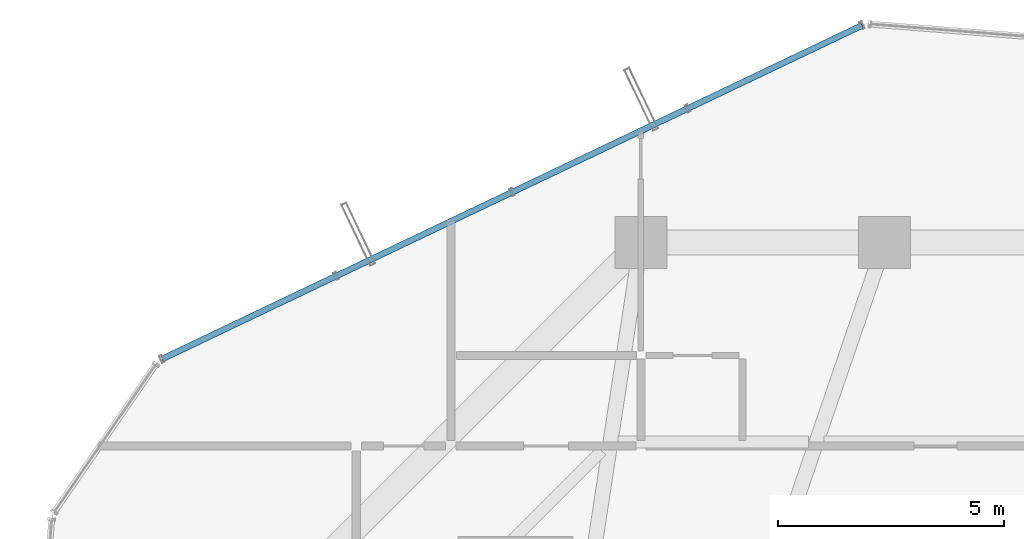
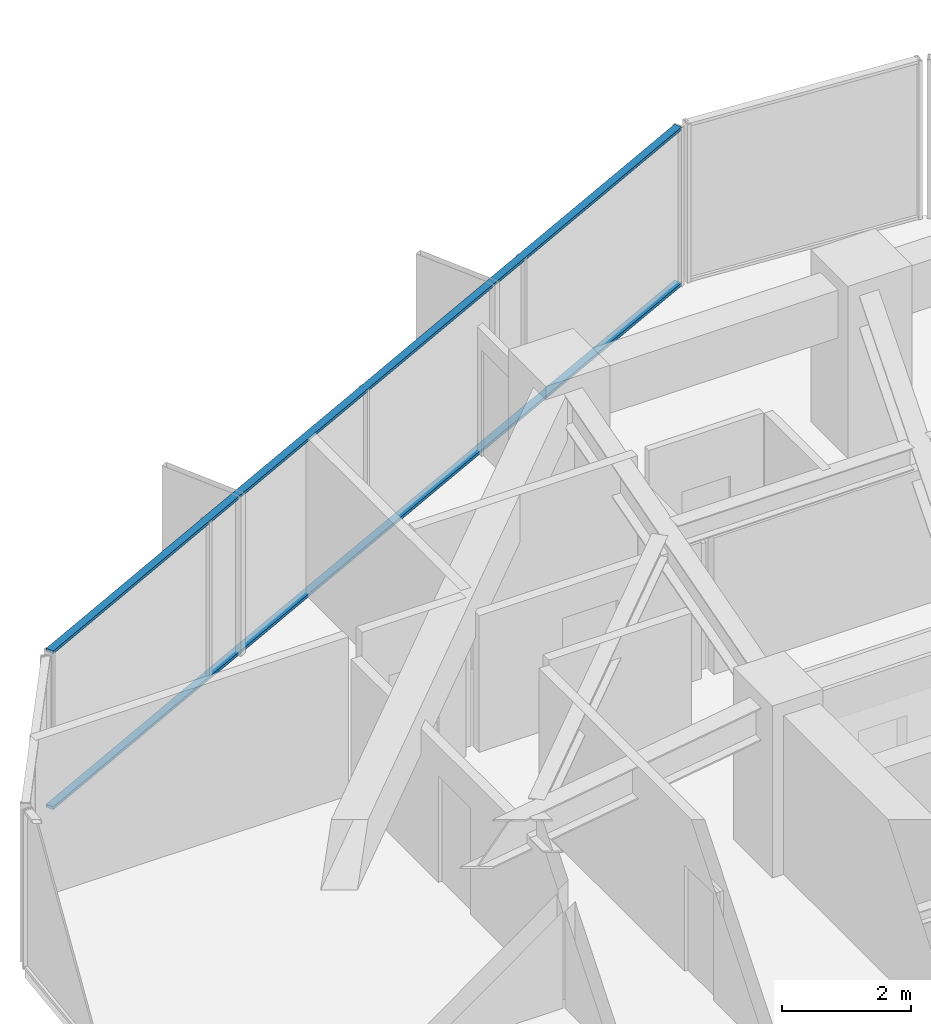
# One storey, part 18 of 30: 2 members, 1 element without a shape of its own.
"""IFC4 building model written with IfcOpenShell, lengths in metres."""

from ifc_helpers import new_model, si_unit, direction, frame, origin, origin_2d, place, context, subcontext, project, spatial, hollow_rectangle, extrude, source, transform, mapped, material, layer, layer_set, material_profile, profile_set, type_object, element, aggregate, save


model = new_model("IFC4")

# Units and contexts
model_context = context("Model", 3, precision=1e-05, world=origin(), true_north=direction((0.0, 1.0)))
body_context = subcontext(model_context, "Body", "Model", "MODEL_VIEW")
ifc_project = project(units=[si_unit("LENGTHUNIT", "METRE"), si_unit("AREAUNIT", "SQUARE_METRE"), si_unit("VOLUMEUNIT", "CUBIC_METRE"), si_unit("PLANEANGLEUNIT", "RADIAN"), si_unit("MASSUNIT", "GRAM", prefix="KILO")], contexts=[model_context])

# Site, building, storey
site_placement = place(None, origin())
site = spatial("IfcSite", under=ifc_project, at=site_placement, CompositionType="ELEMENT")
building_placement = place(site_placement, origin())
building = spatial("IfcBuilding", under=site, at=building_placement, Name="Veraguas Prism Commons", CompositionType="ELEMENT")
storey_placement = place(building_placement, frame((0.0, 0.0, 113.25)))
storey = spatial("IfcBuildingStorey", under=building, at=storey_placement, Name="L31", CompositionType="ELEMENT", Elevation=113.25)

# Curtain wall, members
ifc_material = material(Name="Anodised aluminium EN AW-6063 T6", Category="aluminium")
ifc_layer = layer(ifc_material, 0.169921875, Name="Unitised Flush Curtain Wall Zone 2", Category="aluminium")
ifc_layer_set = layer_set([ifc_layer], Name="Anodised aluminium EN AW-6063 T6")
curtain_wall_type = type_object("IfcCurtainWallType", Name="Unitised Flush Curtain Wall Zone 2", PredefinedType="NOTDEFINED", material=ifc_layer_set)
curtain_wall_placement = place(storey_placement, origin())
curtain_wall = element("IfcCurtainWall", 1, at=curtain_wall_placement, inside=storey, type_object=curtain_wall_type, Name="Tower Facade Curtain Wall L31-F2", PredefinedType="NOTDEFINED")
ifc_material_profile = material_profile(ifc_material, hollow_rectangle(XDim=0.054931640625, YDim=0.135009765625, WallThickness=0.0029296875, at=origin_2d()), Name="AL55X135X3")
ifc_profile_set = profile_set([ifc_material_profile], Name="Anodised aluminium EN AW-6063 T6")
member_type = type_object("IfcMemberType", Name="Curtain Wall Transom Standard AL 55x135x3", PredefinedType="USERDEFINED", material=ifc_profile_set)
shared_shape = source(origin(), body_context, "Body", "SweptSolid", [
    extrude(hollow_rectangle(XDim=0.054931640625, YDim=0.135009765625, WallThickness=0.0029296875, at=origin_2d()), origin(), (0.0, 0.0, 1.0), 17.17431640625),
])
member_1_placement = place(storey_placement, frame((23.499755859375, 45.010986328125, 0.027587890625), z_axis=(-0.902733565825, -0.43020008035, 0.0), x_axis=(0.0, 0.0, 1.0)))
member_1 = element("IfcMember", 2, at=member_1_placement, type_object=member_type, Name="CW-Z2 Transom 1", ObjectType="TRANSOM", PredefinedType="USERDEFINED", context=body_context, shape_type="MappedRepresentation", body=[
    mapped(shared_shape, transform((0.0, 0.0, 0.0), scale=1.0)),
])
member_2_placement = place(storey_placement, frame((23.499755859375, 45.010986328125, 2.972412109375), z_axis=(-0.902733565825, -0.43020008035, 0.0), x_axis=(0.0, 0.0, 1.0)))
member_2 = element("IfcMember", 3, at=member_2_placement, type_object=member_type, Name="CW-Z2 Transom 2", ObjectType="TRANSOM", PredefinedType="USERDEFINED", context=body_context, shape_type="MappedRepresentation", body=[
    mapped(shared_shape, transform((0.0, 0.0, 0.0), scale=1.0)),
])
aggregate(curtain_wall, [member_1, member_2])

save(model, "model.ifc")
